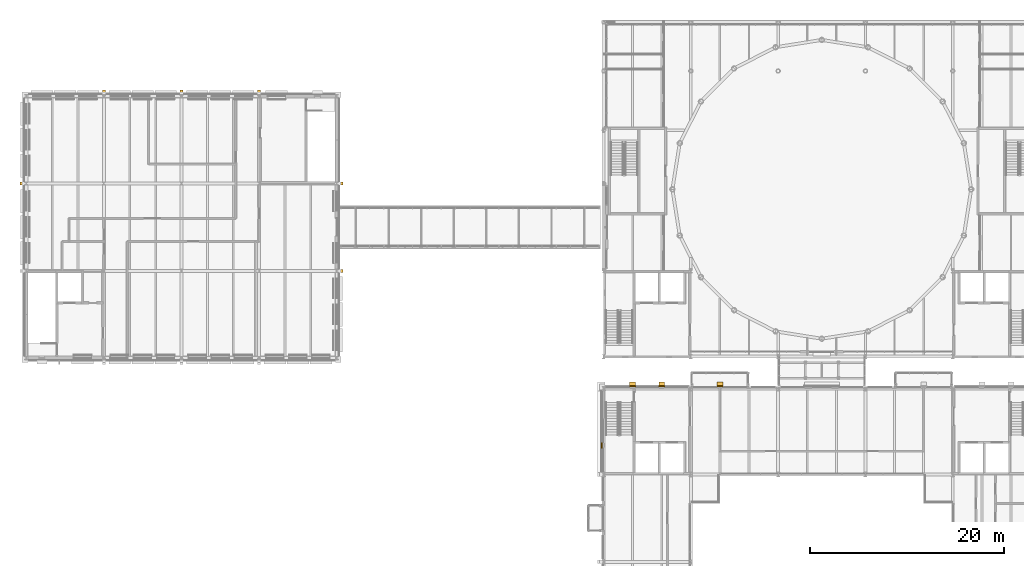
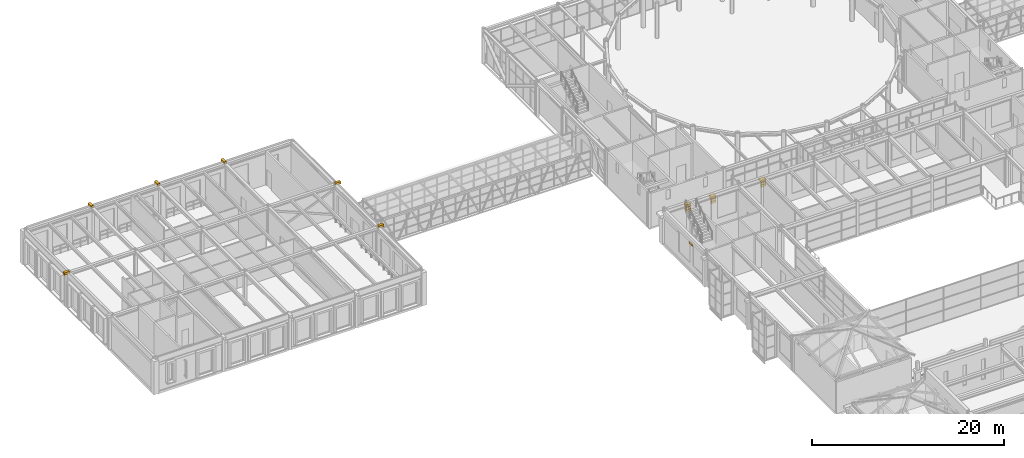
# One storey, part 148 of 149: 16 coverings.
"""IFC4 building model written with IfcOpenShell, lengths in metres."""

from ifc_helpers import new_model, si_unit, direction, frame, origin, origin_2d, place, context, subcontext, project, spatial, rectangle, extrude, material, layer, layer_set, type_object, element, save


model = new_model("IFC4")

# Units and contexts
model_context = context("Model", 3, precision=1e-05, world=origin(), true_north=direction((0.0, 1.0)))
body_context = subcontext(model_context, "Body", "Model", "MODEL_VIEW")
ifc_project = project(units=[si_unit("LENGTHUNIT", "METRE"), si_unit("AREAUNIT", "SQUARE_METRE"), si_unit("VOLUMEUNIT", "CUBIC_METRE"), si_unit("PLANEANGLEUNIT", "RADIAN"), si_unit("MASSUNIT", "GRAM", prefix="KILO")], contexts=[model_context])

# Site, building, storey
site_placement = place(None, origin())
site = spatial("IfcSite", under=ifc_project, at=site_placement, CompositionType="ELEMENT")
building_placement = place(site_placement, origin())
building = spatial("IfcBuilding", under=site, at=building_placement, Name="Kallimachos Central Library", CompositionType="ELEMENT")
storey_placement = place(building_placement, frame((0.0, 0.0, 9.89990234375)))
storey = spatial("IfcBuildingStorey", under=building, at=storey_placement, Name="L02", CompositionType="ELEMENT", Elevation=9.89990234375)

# Coverings
ifc_material_1 = material(Name="Glazed ceramic frieze, green")
ifc_layer_1 = layer(ifc_material_1, 0.10009765625)
ifc_layer_set_1 = layer_set([ifc_layer_1], Name="Glazed ceramic frieze, green")
covering_type_1 = type_object("IfcCoveringType", Name="Glazed ceramic frieze, green", PredefinedType="CLADDING", material=ifc_layer_set_1)
for number, where, z_axis, x_axis, name in (
    (1, (68.5, 84.115966796875, 3.1298828125), (0.0, 0.0, 1.0), (1.0, 0.0, 0.0), "Glazed ceramic frieze, green -L02-015"),
    (2, (71.5, 84.115966796875, 3.1298828125), (0.0, 0.0, 1.0), (1.0, 0.0, 0.0), "Glazed ceramic frieze, green -L02-015"),
    (3, (77.5, 84.115966796875, 3.1298828125), (0.0, 0.0, 1.0), (1.0, 0.0, 0.0), "Glazed ceramic frieze, green -L02-016"),
):
    element("IfcCovering", number, at=place(storey_placement, frame(where, z_axis=z_axis, x_axis=x_axis)), inside=storey, type_object=covering_type_1, Name=name, PredefinedType="CLADDING", context=body_context, shape_type="SweptSolid", body=[
        extrude(rectangle(XDim=0.60009765625, YDim=0.10009765625, at=origin_2d()), origin(), (0.0, 0.0, 1.0), 0.300048828125),
    ])
ifc_material_2 = material(Name="Glazed ceramic frieze, ochre")
ifc_layer_2 = layer(ifc_material_2, 0.10009765625)
ifc_layer_set_2 = layer_set([ifc_layer_2], Name="Glazed ceramic frieze, ochre")
covering_type_2 = type_object("IfcCoveringType", Name="Glazed ceramic frieze, ochre", PredefinedType="CLADDING", material=ifc_layer_set_2)
for number, where, z_axis, x_axis, name in (
    (4, (68.5, 84.115966796875, 2.830078125), (0.0, 0.0, 1.0), (1.0, 0.0, 0.0), "Glazed ceramic frieze, ochre -L02-015"),
    (5, (71.5, 84.115966796875, 2.830078125), (0.0, 0.0, 1.0), (1.0, 0.0, 0.0), "Glazed ceramic frieze, ochre -L02-015"),
    (6, (77.5, 84.115966796875, 2.830078125), (0.0, 0.0, 1.0), (1.0, 0.0, 0.0), "Glazed ceramic frieze, ochre -L02-016"),
):
    element("IfcCovering", number, at=place(storey_placement, frame(where, z_axis=z_axis, x_axis=x_axis)), inside=storey, type_object=covering_type_2, Name=name, PredefinedType="CLADDING", context=body_context, shape_type="SweptSolid", body=[
        extrude(rectangle(XDim=0.60009765625, YDim=0.10009765625, at=origin_2d()), origin(), (0.0, 0.0, 1.0), 0.300048828125),
    ])
covering_placement = place(storey_placement, frame((65.29638671875, 78.0, 3.3798828125), z_axis=(0.0, 0.0, 1.0), x_axis=(1.0, 0.0, 0.0)))
element("IfcCovering", 7, at=covering_placement, inside=storey, type_object=covering_type_2, Name="Glazed ceramic frieze, ochre -L02-022", PredefinedType="CLADDING", context=body_context, shape_type="SweptSolid", body=[
    extrude(rectangle(XDim=0.10009765625, YDim=0.60009765625, at=origin_2d()), origin(), (0.0, 0.0, 1.0), 0.300048828125),
])
ifc_material_3 = material(Name="Pentelic marble cornice", Category="masonry")
ifc_layer_3 = layer(ifc_material_3, 0.449951171875)
ifc_layer_set_3 = layer_set([ifc_layer_3], Name="Stone cornice 450")
covering_type_3 = type_object("IfcCoveringType", Name="Stone cornice 450", PredefinedType="MOLDING", material=ifc_layer_set_3)
for number, where, z_axis, x_axis, name in (
    (8, (68.5, 84.291015625, 3.4501953125), (0.0, 0.0, 1.0), (1.0, 0.0, 0.0), "Stone cornice 450 -L02-015"),
    (9, (71.5, 84.291015625, 3.4501953125), (0.0, 0.0, 1.0), (1.0, 0.0, 0.0), "Stone cornice 450 -L02-015"),
    (10, (77.5, 84.291015625, 3.4501953125), (0.0, 0.0, 1.0), (1.0, 0.0, 0.0), "Stone cornice 450 -L02-016"),
):
    element("IfcCovering", number, at=place(storey_placement, frame(where, z_axis=z_axis, x_axis=x_axis)), inside=storey, type_object=covering_type_3, Name=name, PredefinedType="MOLDING", context=body_context, shape_type="SweptSolid", body=[
        extrude(rectangle(XDim=0.60009765625, YDim=0.449951171875, at=origin_2d()), origin(), (0.0, 0.0, 1.0), 0.300048828125),
    ])
for number, where, z_axis, x_axis, name in (
    (11, (14.0, 114.324951171875, 4.2001953125), (0.0, 0.0, 1.0), (1.0, 0.0, 0.0), "Stone cornice 450 -L02-009"),
    (12, (22.0, 114.324951171875, 4.2001953125), (0.0, 0.0, 1.0), (1.0, 0.0, 0.0), "Stone cornice 450 -L02-010"),
    (13, (30.0, 114.324951171875, 4.2001953125), (0.0, 0.0, 1.0), (1.0, 0.0, 0.0), "Stone cornice 450 -L02-011"),
):
    element("IfcCovering", number, at=place(storey_placement, frame(where, z_axis=z_axis, x_axis=x_axis)), inside=storey, type_object=covering_type_3, Name=name, PredefinedType="MOLDING", context=body_context, shape_type="SweptSolid", body=[
        extrude(rectangle(XDim=0.300048828125, YDim=0.64990234375, at=origin_2d()), origin(), (0.0, 0.0, 1.0), 0.300048828125),
    ])
for number, where, z_axis, x_axis, name in (
    (14, (5.675048828125, 105.0, 4.2001953125), (0.0, 0.0, 1.0), (1.0, 0.0, 0.0), "Stone cornice 450 -L02-014"),
    (15, (38.324951171875, 96.0, 4.2001953125), (0.0, 0.0, 1.0), (1.0, 0.0, 0.0), "Stone cornice 450 -L02-016"),
    (16, (38.324951171875, 105.0, 4.2001953125), (0.0, 0.0, 1.0), (1.0, 0.0, 0.0), "Stone cornice 450 -L02-017"),
):
    element("IfcCovering", number, at=place(storey_placement, frame(where, z_axis=z_axis, x_axis=x_axis)), inside=storey, type_object=covering_type_3, Name=name, PredefinedType="MOLDING", context=body_context, shape_type="SweptSolid", body=[
        extrude(rectangle(XDim=0.64990234375, YDim=0.300048828125, at=origin_2d()), origin(), (0.0, 0.0, 1.0), 0.300048828125),
    ])

save(model, "model.ifc")
